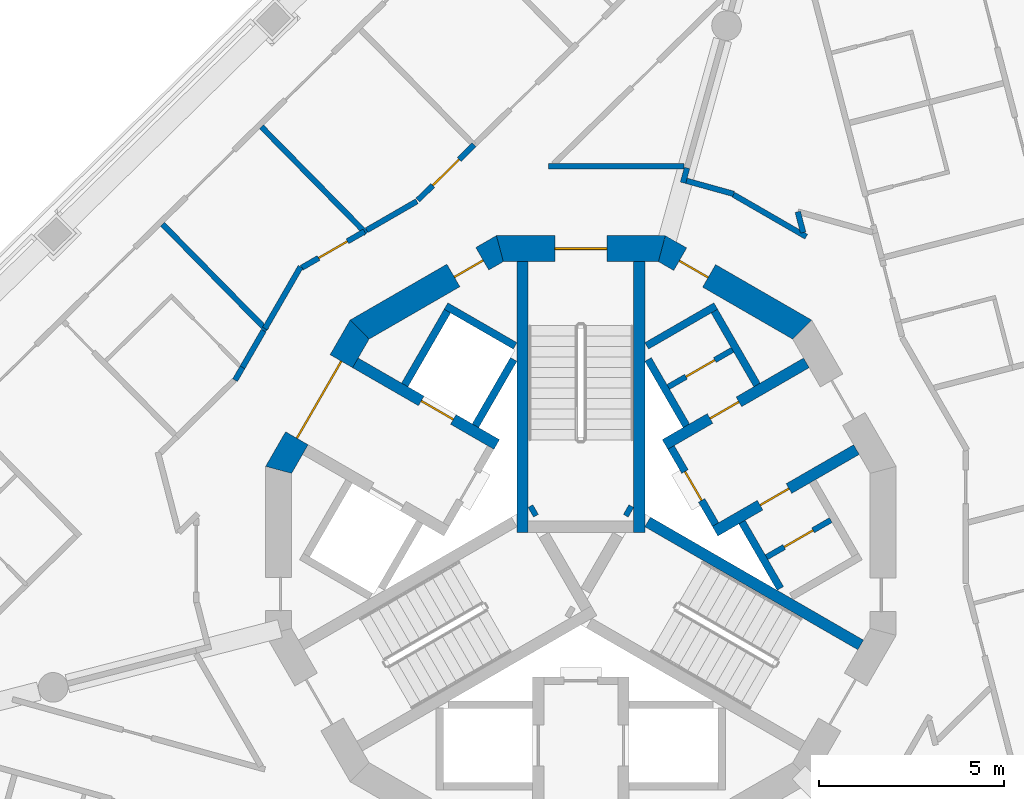
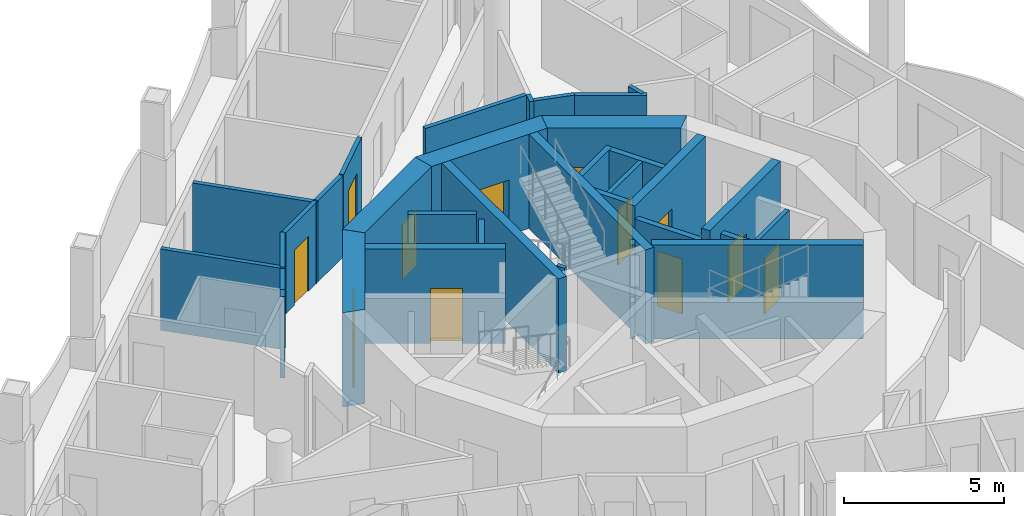
# One storey, part 5 of 15: 35 walls, 12 doors, 12 openings.
"""IFC4 building model written with IfcOpenShell, lengths in metres."""

from ifc_helpers import new_model, si_unit, direction, frame, frame_2d, origin, place, context, subcontext, project, spatial, polyline, rectangle, outline, extrude, material, layer, layer_set, type_object, element, fill, save


model = new_model("IFC4")

# Units and contexts
model_context = context("Model", 3, precision=1e-05, world=origin(), true_north=direction((0.0, 1.0)))
body_context = subcontext(model_context, "Body", "Model", "MODEL_VIEW")
ifc_project = project(units=[si_unit("LENGTHUNIT", "METRE"), si_unit("AREAUNIT", "SQUARE_METRE"), si_unit("VOLUMEUNIT", "CUBIC_METRE"), si_unit("PLANEANGLEUNIT", "RADIAN"), si_unit("MASSUNIT", "GRAM", prefix="KILO")], contexts=[model_context])

# Site, building, storey
site_placement = place(None, origin())
site = spatial("IfcSite", under=ifc_project, at=site_placement, CompositionType="ELEMENT")
building_placement = place(site_placement, origin())
building = spatial("IfcBuilding", under=site, at=building_placement, Name="Trine Commons Tower", CompositionType="ELEMENT")
storey_placement = place(building_placement, frame((0.0, 0.0, 263.699951171875)))
storey = spatial("IfcBuildingStorey", under=building, at=storey_placement, Name="L69", CompositionType="ELEMENT", Elevation=263.699951171875)

# Wall, opening, door
ifc_material_1 = material(Name="Plasterboard partition on steel studs", Category="steel")
ifc_layer_1 = layer(ifc_material_1, 0.14990234375)
ifc_layer_set_1 = layer_set([ifc_layer_1], Name="Plasterboard partition on steel studs")
wall_type_1 = type_object("IfcWallType", Name="Core room partition 150 mm, EI 60", PredefinedType="PARTITIONING", material=ifc_layer_set_1)
wall_1_placement = place(storey_placement, frame((82.35498046875, 66.919921875, 0.0), z_axis=(0.0, 0.0, 1.0), x_axis=(0.866010750942, 0.50002537861, 0.0)))
wall_1 = element("IfcWall", 1, at=wall_1_placement, inside=storey, type_object=wall_type_1, Name="Core room partition L69", PredefinedType="PARTITIONING", context=body_context, shape_type="SweptSolid", body=[
    extrude(rectangle(XDim=2.0, YDim=0.14990234375, at=frame_2d((1.0, 0.0))), origin(), (0.0, 0.0, 1.0), 3.10009765625),
])
opening_1_placement = place(wall_1_placement, frame((0.550537109375, 0.0, 0.0)))
opening_1 = element("IfcOpeningElement", 2, at=opening_1_placement, cuts=wall_1, Name="Opening K15.11", PredefinedType="OPENING", context=body_context, shape_type="SweptSolid", body=[
    extrude(rectangle(XDim=0.89990234375, YDim=2.10009765625, at=frame_2d((0.449951171875, 1.050048828125))), frame((0.0, 0.0849609375, 0.0), z_axis=(0.0, -1.0, 0.0), x_axis=(1.0, 0.0, 0.0)), (0.0, 0.0, 1.0), 0.169921875),
])
ifc_material_2 = material(Name="Steel door leaf, fire-rated", Category="steel")
door_type_1 = type_object("IfcDoorType", Name="Core room door, single leaf 900 x 2100, FD30S", OperationType="SINGLE_SWING_LEFT", PredefinedType="DOOR", material=ifc_material_2)
door_1_placement = place(opening_1_placement, origin())
door_1 = element("IfcDoor", 3, at=door_1_placement, inside=storey, type_object=door_type_1, Name="Door to Pantry L69", OperationType="SINGLE_SWING_RIGHT", OverallHeight=2.10009765625, OverallWidth=0.89990234375, PredefinedType="DOOR", context=body_context, shape_type="SweptSolid", body=[
    extrude(rectangle(XDim=0.89990234375, YDim=2.10009765625, at=frame_2d((0.449951171875, 1.050048828125))), frame((0.0, 0.02490234375, 0.0), z_axis=(0.0, -1.0, 0.0), x_axis=(1.0, 0.0, 0.0)), (0.0, 0.0, 1.0), 0.050048828125),
])
fill(opening_1, door_1)

wall_2_placement = place(storey_placement, frame((85.006103515625, 62.330078125, 0.0), z_axis=(0.0, 0.0, 1.0), x_axis=(0.866010750942, 0.50002537861, 0.0)))
wall_2 = element("IfcWall", 4, at=wall_2_placement, inside=storey, type_object=wall_type_1, Name="Core room partition L69", PredefinedType="PARTITIONING", context=body_context, shape_type="SweptSolid", body=[
    extrude(rectangle(XDim=2.0, YDim=0.14990234375, at=frame_2d((1.0, 0.0))), origin(), (0.0, 0.0, 1.0), 3.10009765625),
])
opening_2_placement = place(wall_2_placement, frame((0.549560546875, 0.0, 0.0)))
opening_2 = element("IfcOpeningElement", 5, at=opening_2_placement, cuts=wall_2, Name="Opening K15.13", PredefinedType="OPENING", context=body_context, shape_type="SweptSolid", body=[
    extrude(rectangle(XDim=0.89990234375, YDim=2.10009765625, at=frame_2d((0.449951171875, 1.050048828125))), frame((0.0, 0.0849609375, 0.0), z_axis=(0.0, -1.0, 0.0), x_axis=(1.0, 0.0, 0.0)), (0.0, 0.0, 1.0), 0.169921875),
])
door_2_placement = place(opening_2_placement, frame((0.89990234375, 0.0, 0.0), z_axis=(0.0, 0.0, 1.0), x_axis=(-1.0, 0.0, 0.0)))
door_2 = element("IfcDoor", 6, at=door_2_placement, inside=storey, type_object=door_type_1, Name="Door to Parcel store L69", OperationType="SINGLE_SWING_LEFT", OverallHeight=2.10009765625, OverallWidth=0.89990234375, PredefinedType="DOOR", context=body_context, shape_type="SweptSolid", body=[
    extrude(rectangle(XDim=0.89990234375, YDim=2.10009765625, at=frame_2d((0.449951171875, 1.050048828125))), frame((0.0, 0.02490234375, 0.0), z_axis=(0.0, -1.0, 0.0), x_axis=(1.0, 0.0, 0.0)), (0.0, 0.0, 1.0), 0.050048828125),
])
fill(opening_2, door_2)

ifc_material_3 = material(Name="Fire-rated gypsum shaft wall system")
ifc_layer_2 = layer(ifc_material_3, 0.199951171875)
ifc_layer_set_2 = layer_set([ifc_layer_2], Name="Fire-rated gypsum shaft wall system")
wall_type_2 = type_object("IfcWallType", Name="Lobby end wall 200 mm, EI 120", PredefinedType="PARTITIONING", material=ifc_layer_set_2)
wall_3_placement = place(storey_placement, frame((83.631103515625, 63.2109375, 0.0), z_axis=(0.0, 0.0, 1.0), x_axis=(-0.50012165622, 0.865955154139, 0.0)))
wall_3 = element("IfcWall", 7, at=wall_3_placement, inside=storey, type_object=wall_type_2, Name="Lobby end wall L69", PredefinedType="PARTITIONING", context=body_context, shape_type="SweptSolid", body=[
    extrude(rectangle(XDim=2.39990234375, YDim=0.199951171875, at=frame_2d((1.199951171875, 0.0))), origin(), (0.0, 0.0, 1.0), 3.10009765625),
])
opening_3_placement = place(wall_3_placement, frame((0.749755859375, 0.0, 0.0)))
opening_3 = element("IfcOpeningElement", 8, at=opening_3_placement, cuts=wall_3, Name="Opening K15.05", PredefinedType="OPENING", context=body_context, shape_type="SweptSolid", body=[
    extrude(rectangle(XDim=0.89990234375, YDim=2.10009765625, at=frame_2d((0.449951171875, 1.050048828125))), frame((0.0, 0.10986328125, 0.0), z_axis=(0.0, -1.0, 0.0), x_axis=(1.0, 0.0, 0.0)), (0.0, 0.0, 1.0), 0.219970703125),
])
door_type_2 = type_object("IfcDoorType", Name="Riser access door, single leaf 900 x 2100, FD60", OperationType="SINGLE_SWING_LEFT", PredefinedType="DOOR", material=ifc_material_2)
door_3_placement = place(opening_3_placement, frame((0.89990234375, 0.0, 0.0), z_axis=(0.0, 0.0, 1.0), x_axis=(-1.0, 0.0, 0.0)))
door_3 = element("IfcDoor", 9, at=door_3_placement, inside=storey, type_object=door_type_2, Name="Riser door, Electrical riser L69", OperationType="SINGLE_SWING_LEFT", OverallHeight=2.10009765625, OverallWidth=0.89990234375, PredefinedType="DOOR", context=body_context, shape_type="SweptSolid", body=[
    extrude(rectangle(XDim=0.89990234375, YDim=2.10009765625, at=frame_2d((0.449951171875, 1.050048828125))), frame((0.0, 0.02490234375, 0.0), z_axis=(0.0, -1.0, 0.0), x_axis=(1.0, 0.0, 0.0)), (0.0, 0.0, 1.0), 0.050048828125),
])
fill(opening_3, door_3)

ifc_material_4 = material(Name="Concrete C50/60", Category="concrete")
ifc_layer_3 = layer(ifc_material_4, 0.300048828125)
ifc_layer_set_3 = layer_set([ifc_layer_3], Name="Concrete C50/60")
wall_type_3 = type_object("IfcWallType", Name="RC shear wall 300 mm, C50/60", PredefinedType="SHEAR", material=ifc_layer_set_3)
wall_4_placement = place(storey_placement, frame((77.73095703125, 65.368896484375, 0.0), z_axis=(0.0, 0.0, 1.0), x_axis=(-0.866035918664, 0.499981787252, 0.0)))
wall_4 = element("IfcWall", 10, at=wall_4_placement, inside=storey, type_object=wall_type_3, Name="Core cross wall SWC-02 L69", PredefinedType="SHEAR", context=body_context, shape_type="SweptSolid", body=[
    extrude(rectangle(XDim=4.400634765625, YDim=0.300048828125, at=frame_2d((2.2001953125, 0.0))), origin(), (0.0, 0.0, 1.0), 3.60009765625),
])
opening_4_placement = place(wall_4_placement, frame((1.3505859375, 0.0, 0.0)))
opening_4 = element("IfcOpeningElement", 11, at=opening_4_placement, cuts=wall_4, Name="Opening LD8", PredefinedType="OPENING", context=body_context, shape_type="SweptSolid", body=[
    extrude(rectangle(XDim=1.0, YDim=2.10009765625, at=frame_2d((0.5, 1.050048828125))), frame((0.0, 0.159912109375, 0.0), z_axis=(0.0, -1.0, 0.0), x_axis=(1.0, 0.0, 0.0)), (0.0, 0.0, 1.0), 0.320068359375),
])
ifc_material_5 = material(Name="Stainless steel sliding door leaves", Category="steel")
door_type_3 = type_object("IfcDoorType", Name="Lift landing door, centre-opening sliding 1000 x 2100, FD90", OperationType="DOUBLE_DOOR_SLIDING", PredefinedType="DOOR", material=ifc_material_5)
door_4_placement = place(opening_4_placement, origin())
door_4 = element("IfcDoor", 12, at=door_4_placement, inside=storey, type_object=door_type_3, Name="Lift landing door HR4 L69", OperationType="DOUBLE_DOOR_SLIDING", OverallHeight=2.10009765625, OverallWidth=1.0, PredefinedType="DOOR", context=body_context, shape_type="SweptSolid", body=[
    extrude(rectangle(XDim=1.0, YDim=2.10009765625, at=frame_2d((0.5, 1.050048828125))), frame((0.0, 0.02490234375, 0.0), z_axis=(0.0, -1.0, 0.0), x_axis=(1.0, 0.0, 0.0)), (0.0, 0.0, 1.0), 0.050048828125),
])
fill(opening_4, door_4)

wall_5_placement = place(storey_placement, frame((82.26904296875, 65.368896484375, 0.0), z_axis=(0.0, 0.0, 1.0), x_axis=(0.866035918664, 0.499981787252, 0.0)))
wall_5 = element("IfcWall", 13, at=wall_5_placement, inside=storey, type_object=wall_type_3, Name="Core cross wall SWC-05 L69", PredefinedType="SHEAR", context=body_context, shape_type="SweptSolid", body=[
    extrude(rectangle(XDim=4.400634765625, YDim=0.300048828125, at=frame_2d((2.2001953125, 0.0))), origin(), (0.0, 0.0, 1.0), 3.60009765625),
])
opening_5_placement = place(wall_5_placement, frame((1.400390625, 0.0, 0.0)))
opening_5 = element("IfcOpeningElement", 14, at=opening_5_placement, cuts=wall_5, Name="Opening K15.10", PredefinedType="OPENING", context=body_context, shape_type="SweptSolid", body=[
    extrude(rectangle(XDim=0.89990234375, YDim=2.10009765625, at=frame_2d((0.449951171875, 1.050048828125))), frame((0.0, 0.159912109375, 0.0), z_axis=(0.0, -1.0, 0.0), x_axis=(1.0, 0.0, 0.0)), (0.0, 0.0, 1.0), 0.320068359375),
])
door_5_placement = place(opening_5_placement, origin())
door_5 = element("IfcDoor", 15, at=door_5_placement, inside=storey, type_object=door_type_1, Name="Door to Linen store L69", OperationType="SINGLE_SWING_LEFT", OverallHeight=2.10009765625, OverallWidth=0.89990234375, PredefinedType="DOOR", context=body_context, shape_type="SweptSolid", body=[
    extrude(rectangle(XDim=0.89990234375, YDim=2.10009765625, at=frame_2d((0.449951171875, 1.050048828125))), frame((0.0, 0.02490234375, 0.0), z_axis=(0.0, -1.0, 0.0), x_axis=(1.0, 0.0, 0.0)), (0.0, 0.0, 1.0), 0.050048828125),
])
fill(opening_5, door_5)

wall_6_placement = place(storey_placement, frame((83.618896484375, 63.031005859375, 0.0), z_axis=(0.0, 0.0, 1.0), x_axis=(0.866059941101, 0.499940174841, 0.0)))
wall_6 = element("IfcWall", 16, at=wall_6_placement, inside=storey, type_object=wall_type_3, Name="Core cross wall SWC-06 L69", PredefinedType="SHEAR", context=body_context, shape_type="SweptSolid", body=[
    extrude(rectangle(XDim=4.400390625, YDim=0.300048828125, at=frame_2d((2.2001953125, 0.0))), origin(), (0.0, 0.0, 1.0), 3.60009765625),
])
opening_6_placement = place(wall_6_placement, frame((1.400390625, 0.0, 0.0)))
opening_6 = element("IfcOpeningElement", 17, at=opening_6_placement, cuts=wall_6, Name="Opening K15.12", PredefinedType="OPENING", context=body_context, shape_type="SweptSolid", body=[
    extrude(rectangle(XDim=0.89990234375, YDim=2.10009765625, at=frame_2d((0.449951171875, 1.050048828125))), frame((0.0, 0.159912109375, 0.0), z_axis=(0.0, -1.0, 0.0), x_axis=(1.0, 0.0, 0.0)), (0.0, 0.0, 1.0), 0.320068359375),
])
door_6_placement = place(opening_6_placement, frame((0.89990234375, 0.0, 0.0), z_axis=(0.0, 0.0, 1.0), x_axis=(-1.0, 0.0, 0.0)))
door_6 = element("IfcDoor", 18, at=door_6_placement, inside=storey, type_object=door_type_1, Name="Door to Comms room L69", OperationType="SINGLE_SWING_LEFT", OverallHeight=2.10009765625, OverallWidth=0.89990234375, PredefinedType="DOOR", context=body_context, shape_type="SweptSolid", body=[
    extrude(rectangle(XDim=0.89990234375, YDim=2.10009765625, at=frame_2d((0.449951171875, 1.050048828125))), frame((0.0, 0.02490234375, 0.0), z_axis=(0.0, -1.0, 0.0), x_axis=(1.0, 0.0, 0.0)), (0.0, 0.0, 1.0), 0.050048828125),
])
fill(opening_6, door_6)

# Walls
wall_7_placement = place(storey_placement, frame((78.425048828125, 63.0009765625, 0.0), z_axis=(0.0, 0.0, 1.0), x_axis=(0.0, 1.0, 0.0)))
element("IfcWall", 19, at=wall_7_placement, inside=storey, type_object=wall_type_3, Name="Core cross wall SWC-08 L69", PredefinedType="SHEAR", context=body_context, shape_type="SweptSolid", body=[
    extrude(rectangle(XDim=7.299072265625, YDim=0.300048828125, at=frame_2d((3.6494140625, 0.0))), origin(), (0.0, 0.0, 1.0), 3.60009765625),
])
for number, where, z_axis, x_axis, name in (
    (20, (78.779052734375, 63.614013671875, 0.0), (0.0, 0.0, 1.0), (-0.867737973955, -0.497021939713, 0.0), "Core cross wall SWC-09 L69"),
    (21, (81.220947265625, 63.614013671875, 0.0), (0.0, 0.0, 1.0), (0.867737973955, -0.497021939713, 0.0), "Core cross wall SWC-15 L69"),
):
    element("IfcWall", number, at=place(storey_placement, frame(where, z_axis=z_axis, x_axis=x_axis)), inside=storey, type_object=wall_type_3, Name=name, PredefinedType="SHEAR", context=body_context, shape_type="SweptSolid", body=[
        extrude(rectangle(XDim=0.14892578125, YDim=0.300048828125, at=frame_2d((0.074462890625, 0.0))), origin(), (0.0, 0.0, 1.0), 3.60009765625),
    ])
wall_8_placement = place(storey_placement, frame((81.574951171875, 63.0009765625, 0.0), z_axis=(0.0, 0.0, 1.0), x_axis=(0.0, 1.0, 0.0)))
element("IfcWall", 22, at=wall_8_placement, inside=storey, type_object=wall_type_3, Name="Core cross wall SWC-17 L69", PredefinedType="SHEAR", context=body_context, shape_type="SweptSolid", body=[
    extrude(rectangle(XDim=7.299072265625, YDim=0.300048828125, at=frame_2d((3.6494140625, 0.0))), origin(), (0.0, 0.0, 1.0), 3.60009765625),
])
wall_9_placement = place(storey_placement, frame((81.800048828125, 63.280029296875, 0.0), z_axis=(0.0, 0.0, 1.0), x_axis=(0.866009627307, -0.500027324665, 0.0)))
element("IfcWall", 23, at=wall_9_placement, inside=storey, type_object=wall_type_3, Name="Core cross wall SWC-18 L69", PredefinedType="SHEAR", context=body_context, shape_type="SweptSolid", body=[
    extrude(rectangle(XDim=6.631591796875, YDim=0.300048828125, at=frame_2d((3.31591796875, 0.0))), origin(), (0.0, 0.0, 1.0), 3.60009765625),
])

# Wall, opening, door
ifc_layer_4 = layer(ifc_material_4, 0.699951171875)
ifc_layer_set_4 = layer_set([ifc_layer_4], Name="Concrete C50/60")
wall_type_4 = type_object("IfcWallType", Name="RC shear wall 700 mm, C50/60", PredefinedType="SHEAR", material=ifc_layer_set_4)
wall_10_placement = place(storey_placement, frame((86.047607421875, 68.41943359375, 0.0), z_axis=(0.0, 0.0, 1.0), x_axis=(-0.866034756103, 0.499983800959, 0.0)))
wall_10 = element("IfcWall", 24, at=wall_10_placement, inside=storey, type_object=wall_type_4, Name="Core wall CWG-03 L69", PredefinedType="SHEAR", context=body_context, shape_type="SweptSolid", body=[
    extrude(outline(polyline([(0.0, -0.35009765625), (4.55517578125, -0.35009765625), (4.36767578125, 0.35009765625), (0.1875, 0.35009765625), (0.0, -0.35009765625)])), origin(), (0.0, 0.0, 1.0), 3.60009765625),
])
opening_7_placement = place(wall_10_placement, frame((2.990966796875, 0.0, 0.0)))
opening_7 = element("IfcOpeningElement", 25, at=opening_7_placement, cuts=wall_10, Name="Opening K15.14", PredefinedType="OPENING", context=body_context, shape_type="SweptSolid", body=[
    extrude(rectangle(XDim=0.89990234375, YDim=2.10009765625, at=frame_2d((0.449951171875, 1.050048828125))), frame((0.0, 0.35986328125, 0.0), z_axis=(0.0, -1.0, 0.0), x_axis=(1.0, 0.0, 0.0)), (0.0, 0.0, 1.0), 0.719970703125),
])
door_7_placement = place(opening_7_placement, origin())
door_7 = element("IfcDoor", 26, at=door_7_placement, inside=storey, type_object=door_type_1, Name="Door to Core WC L69", OperationType="SINGLE_SWING_RIGHT", OverallHeight=2.10009765625, OverallWidth=0.89990234375, PredefinedType="DOOR", context=body_context, shape_type="SweptSolid", body=[
    extrude(rectangle(XDim=0.89990234375, YDim=2.10009765625, at=frame_2d((0.449951171875, 1.050048828125))), frame((0.0, 0.0751953125, 0.0), z_axis=(0.0, -1.0, 0.0), x_axis=(1.0, 0.0, 0.0)), (0.0, 0.0, 1.0), 0.050048828125),
])
fill(opening_7, door_7)

wall_11_placement = place(storey_placement, frame((82.277587890625, 70.650146484375, 0.0), z_axis=(0.0, 0.0, 1.0), x_axis=(-1.0, 0.0, 0.0)))
wall_11 = element("IfcWall", 27, at=wall_11_placement, inside=storey, type_object=wall_type_4, Name="Core wall CWG-04 L69", PredefinedType="SHEAR", context=body_context, shape_type="SweptSolid", body=[
    extrude(outline(polyline([(0.0, -0.35009765625), (4.55517578125, -0.35009765625), (4.36767578125, 0.35009765625), (0.1875, 0.35009765625), (0.0, -0.35009765625)])), origin(), (0.0, 0.0, 1.0), 3.60009765625),
])
opening_8_placement = place(wall_11_placement, frame((1.57763671875, 0.0, 0.0)))
opening_8 = element("IfcOpeningElement", 28, at=opening_8_placement, cuts=wall_11, Name="Opening K15.01", PredefinedType="OPENING", context=body_context, shape_type="SweptSolid", body=[
    extrude(rectangle(XDim=1.39990234375, YDim=2.10009765625, at=frame_2d((0.699951171875, 1.050048828125))), frame((0.0, 0.35986328125, 0.0), z_axis=(0.0, -1.0, 0.0), x_axis=(1.0, 0.0, 0.0)), (0.0, 0.0, 1.0), 0.719970703125),
])
ifc_material_6 = material(Name="Steel door leaves, fire-rated", Category="steel")
door_type_4 = type_object("IfcDoorType", Name="Stair door, double leaf 1400 x 2100, FD90", OperationType="DOUBLE_DOOR_SINGLE_SWING", PredefinedType="DOOR", material=ifc_material_6)
door_8_placement = place(opening_8_placement, origin())
door_8 = element("IfcDoor", 29, at=door_8_placement, inside=storey, type_object=door_type_4, Name="Stair door to Exit stair ST1C L69", OperationType="DOUBLE_DOOR_SINGLE_SWING", OverallHeight=2.10009765625, OverallWidth=1.39990234375, PredefinedType="DOOR", context=body_context, shape_type="SweptSolid", body=[
    extrude(rectangle(XDim=1.39990234375, YDim=2.10009765625, at=frame_2d((0.699951171875, 1.050048828125))), frame((0.0, 0.02490234375, 0.0), z_axis=(0.0, -1.0, 0.0), x_axis=(1.0, 0.0, 0.0)), (0.0, 0.0, 1.0), 0.050048828125),
])
fill(opening_8, door_8)

wall_12_placement = place(storey_placement, frame((77.8974609375, 70.697021484375, 0.0), z_axis=(0.0, 0.0, 1.0), x_axis=(-0.866034756103, -0.499983800959, 0.0)))
wall_12 = element("IfcWall", 30, at=wall_12_placement, inside=storey, type_object=wall_type_4, Name="Core wall CWG-05 L69", PredefinedType="SHEAR", context=body_context, shape_type="SweptSolid", body=[
    extrude(outline(polyline([(0.0, -0.35009765625), (4.55517578125, -0.35009765625), (4.36767578125, 0.35009765625), (0.1875, 0.35009765625), (0.0, -0.35009765625)])), origin(), (0.0, 0.0, 1.0), 3.60009765625),
])
opening_9_placement = place(wall_12_placement, frame((0.641845703125, 0.0, 0.0)))
opening_9 = element("IfcOpeningElement", 31, at=opening_9_placement, cuts=wall_12, Name="Opening K15.15", PredefinedType="OPENING", context=body_context, shape_type="SweptSolid", body=[
    extrude(rectangle(XDim=0.89990234375, YDim=2.10009765625, at=frame_2d((0.449951171875, 1.050048828125))), frame((0.0, 0.35986328125, 0.0), z_axis=(0.0, -1.0, 0.0), x_axis=(1.0, 0.0, 0.0)), (0.0, 0.0, 1.0), 0.719970703125),
])
door_9_placement = place(opening_9_placement, origin())
door_9 = element("IfcDoor", 32, at=door_9_placement, inside=storey, type_object=door_type_1, Name="Door to Accessible WC L69", OperationType="SINGLE_SWING_LEFT", OverallHeight=2.10009765625, OverallWidth=0.89990234375, PredefinedType="DOOR", context=body_context, shape_type="SweptSolid", body=[
    extrude(rectangle(XDim=0.89990234375, YDim=2.10009765625, at=frame_2d((0.449951171875, 1.050048828125))), frame((0.0, 0.0751953125, 0.0), z_axis=(0.0, -1.0, 0.0), x_axis=(1.0, 0.0, 0.0)), (0.0, 0.0, 1.0), 0.050048828125),
])
fill(opening_9, door_9)

wall_13_placement = place(storey_placement, frame((74.08056640625, 68.547607421875, 0.0), z_axis=(0.0, 0.0, 1.0), x_axis=(-0.499983800959, -0.866034756103, 0.0)))
wall_13 = element("IfcWall", 33, at=wall_13_placement, inside=storey, type_object=wall_type_4, Name="Core wall CWG-06 L69", PredefinedType="SHEAR", context=body_context, shape_type="SweptSolid", body=[
    extrude(outline(polyline([(0.0, -0.35009765625), (4.55517578125, -0.35009765625), (4.36767578125, 0.35009765625), (0.1875, 0.35009765625), (0.0, -0.35009765625)])), origin(), (0.0, 0.0, 1.0), 3.60009765625),
])
opening_10_placement = place(wall_13_placement, frame((1.077392578125, 0.0, 0.0)))
opening_10 = element("IfcOpeningElement", 34, at=opening_10_placement, cuts=wall_13, Name="Opening K15.06", PredefinedType="OPENING", context=body_context, shape_type="SweptSolid", body=[
    extrude(rectangle(XDim=2.39990234375, YDim=2.10009765625, at=frame_2d((1.199951171875, 1.050048828125))), frame((0.0, 0.35986328125, 0.0), z_axis=(0.0, -1.0, 0.0), x_axis=(1.0, 0.0, 0.0)), (0.0, 0.0, 1.0), 0.719970703125),
])
door_type_5 = type_object("IfcDoorType", Name="Lobby door, double leaf 2400 x 2100, FD60", OperationType="DOUBLE_DOOR_SINGLE_SWING", PredefinedType="DOOR", material=ifc_material_6)
door_10_placement = place(opening_10_placement, origin())
door_10 = element("IfcDoor", 35, at=door_10_placement, inside=storey, type_object=door_type_5, Name="Lobby door, Passenger lift lobby B L69", OperationType="DOUBLE_DOOR_SINGLE_SWING", OverallHeight=2.10009765625, OverallWidth=2.39990234375, PredefinedType="DOOR", context=body_context, shape_type="SweptSolid", body=[
    extrude(rectangle(XDim=2.39990234375, YDim=2.10009765625, at=frame_2d((1.199951171875, 1.050048828125))), frame((0.0, 0.02490234375, 0.0), z_axis=(0.0, -1.0, 0.0), x_axis=(1.0, 0.0, 0.0)), (0.0, 0.0, 1.0), 0.050048828125),
])
fill(opening_10, door_10)

# Walls
ifc_layer_5 = layer(ifc_material_3, 0.199951171875)
ifc_layer_set_5 = layer_set([ifc_layer_5], Name="Fire-rated gypsum shaft wall system")
wall_type_5 = type_object("IfcWallType", Name="Shaft wall 200 mm, EI 120", PredefinedType="PARTITIONING", material=ifc_layer_set_5)
wall_14_placement = place(storey_placement, frame((75.2509765625, 66.97412109375, 0.0), z_axis=(0.0, 0.0, 1.0), x_axis=(0.500136062276, 0.86594683394, 0.0)))
element("IfcWall", 36, at=wall_14_placement, inside=storey, type_object=wall_type_5, Name="Shaft wall L69", PredefinedType="PARTITIONING", context=body_context, shape_type="SweptSolid", body=[
    extrude(rectangle(XDim=2.299072265625, YDim=0.199951171875, at=frame_2d((1.1494140625, 0.0))), origin(), (0.0, 0.0, 1.0), 3.10009765625),
])
wall_15_placement = place(storey_placement, frame((77.156005859375, 65.8740234375, 0.0), z_axis=(0.0, 0.0, 1.0), x_axis=(0.499865770674, 0.866102887253, 0.0)))
element("IfcWall", 37, at=wall_15_placement, inside=storey, type_object=wall_type_5, Name="Shaft wall L69", PredefinedType="PARTITIONING", context=body_context, shape_type="SweptSolid", body=[
    extrude(rectangle(XDim=2.064453125, YDim=0.199951171875, at=frame_2d((1.0322265625, 0.0))), origin(), (0.0, 0.0, 1.0), 3.10009765625),
])
for number, where, z_axis, x_axis, name in (
    (38, (78.22509765625, 68.028076171875, 0.0), (0.0, 0.0, 1.0), (-0.866130725101, 0.499817533742, 0.0), "Shaft wall L69"),
    (39, (81.77490234375, 68.028076171875, 0.0), (0.0, 0.0, 1.0), (0.866130725101, 0.499817533742, 0.0), "Shaft wall L69"),
):
    element("IfcWall", number, at=place(storey_placement, frame(where, z_axis=z_axis, x_axis=x_axis)), inside=storey, type_object=wall_type_5, Name=name, PredefinedType="PARTITIONING", context=body_context, shape_type="SweptSolid", body=[
        extrude(rectangle(XDim=2.148681640625, YDim=0.199951171875, at=frame_2d((1.07421875, 0.0))), origin(), (0.0, 0.0, 1.0), 3.10009765625),
    ])
wall_16_placement = place(storey_placement, frame((82.843994140625, 65.8740234375, 0.0), z_axis=(0.0, 0.0, 1.0), x_axis=(-0.499865770674, 0.866102887253, 0.0)))
element("IfcWall", 40, at=wall_16_placement, inside=storey, type_object=wall_type_5, Name="Shaft wall L69", PredefinedType="PARTITIONING", context=body_context, shape_type="SweptSolid", body=[
    extrude(rectangle(XDim=2.064453125, YDim=0.199951171875, at=frame_2d((1.0322265625, 0.0))), origin(), (0.0, 0.0, 1.0), 3.10009765625),
])
wall_17_placement = place(storey_placement, frame((84.343994140625, 63.27587890625, 0.0), z_axis=(0.0, 0.0, 1.0), x_axis=(0.500271688072, -0.86586848777, 0.0)))
element("IfcWall", 41, at=wall_17_placement, inside=storey, type_object=wall_type_5, Name="Shaft wall L69", PredefinedType="PARTITIONING", context=body_context, shape_type="SweptSolid", body=[
    extrude(rectangle(XDim=2.064697265625, YDim=0.199951171875, at=frame_2d((1.0322265625, 0.0))), origin(), (0.0, 0.0, 1.0), 3.10009765625),
])
wall_18_placement = place(storey_placement, frame((84.7490234375, 66.97412109375, 0.0), z_axis=(0.0, 0.0, 1.0), x_axis=(-0.500136062276, 0.86594683394, 0.0)))
element("IfcWall", 42, at=wall_18_placement, inside=storey, type_object=wall_type_5, Name="Shaft wall L69", PredefinedType="PARTITIONING", context=body_context, shape_type="SweptSolid", body=[
    extrude(rectangle(XDim=2.299072265625, YDim=0.199951171875, at=frame_2d((1.1494140625, 0.0))), origin(), (0.0, 0.0, 1.0), 3.10009765625),
])
ifc_material_7 = material(Name="Gypsum plasterboard on steel stud", Category="steel")
ifc_layer_6 = layer(ifc_material_7, 0.14990234375)
ifc_layer_set_6 = layer_set([ifc_layer_6], Name="Gypsum plasterboard on steel stud")
wall_type_6 = type_object("IfcWallType", Name="Unit and corridor wall 150 mm, EI 60", PredefinedType="PARTITIONING", material=ifc_layer_set_6)
wall_19_placement = place(storey_placement, frame((68.720947265625, 71.3076171875, 0.0), z_axis=(0.0, 0.0, 1.0), x_axis=(0.700815785944, -0.713342298039, 0.0)))
element("IfcWall", 43, at=wall_19_placement, inside=storey, type_object=wall_type_6, Name="Partition 024", PredefinedType="PARTITIONING", context=body_context, shape_type="SweptSolid", body=[
    extrude(rectangle(XDim=4.014892578125, YDim=0.14990234375, at=frame_2d((2.00732421875, 0.0))), origin(), (0.0, 0.0, 1.0), 3.10009765625),
])
wall_20_placement = place(storey_placement, frame((70.67578125, 67.101806640625, 0.0), z_axis=(0.0, 0.0, 1.0), x_axis=(0.500795801589, 0.865565459749, 0.0)))
element("IfcWall", 44, at=wall_20_placement, inside=storey, type_object=wall_type_6, Name="Partition 035", PredefinedType="PARTITIONING", context=body_context, shape_type="SweptSolid", body=[
    extrude(rectangle(XDim=0.400146484375, YDim=0.14990234375, at=frame_2d((0.2001953125, 0.0))), origin(), (0.0, 0.0, 1.0), 3.10009765625),
])
wall_21_placement = place(storey_placement, frame((70.8359375, 67.378662109375, 0.0), z_axis=(0.0, 0.0, 1.0), x_axis=(0.500074377092, 0.865982457891, 0.0)))
element("IfcWall", 45, at=wall_21_placement, inside=storey, type_object=wall_type_6, Name="Partition 037", PredefinedType="PARTITIONING", context=body_context, shape_type="SweptSolid", body=[
    extrude(rectangle(XDim=1.220947265625, YDim=0.14990234375, at=frame_2d((0.6103515625, 0.0))), origin(), (0.0, 0.0, 1.0), 3.10009765625),
])
wall_22_placement = place(storey_placement, frame((71.389892578125, 73.931396484375, 0.0), z_axis=(0.0, 0.0, 1.0), x_axis=(0.700963396894, -0.713197249164, 0.0)))
element("IfcWall", 46, at=wall_22_placement, inside=storey, type_object=wall_type_6, Name="Partition 039", PredefinedType="PARTITIONING", context=body_context, shape_type="SweptSolid", body=[
    extrude(rectangle(XDim=4.03125, YDim=0.14990234375, at=frame_2d((2.015625, 0.0))), origin(), (0.0, 0.0, 1.0), 3.10009765625),
])
wall_23_placement = place(storey_placement, frame((71.47998046875, 68.493896484375, 0.0), z_axis=(0.0, 0.0, 1.0), x_axis=(0.500205717672, 0.865906600049, 0.0)))
element("IfcWall", 47, at=wall_23_placement, inside=storey, type_object=wall_type_6, Name="Partition 040", PredefinedType="PARTITIONING", context=body_context, shape_type="SweptSolid", body=[
    extrude(rectangle(XDim=1.924072265625, YDim=0.14990234375, at=frame_2d((0.9619140625, 0.0))), origin(), (0.0, 0.0, 1.0), 3.10009765625),
])

# Wall, opening, door
wall_24_placement = place(storey_placement, frame((72.469970703125, 70.132568359375, 0.0), z_axis=(0.0, 0.0, 1.0), x_axis=(0.865963449651, 0.500107292357, 0.0)))
wall_24 = element("IfcWall", 48, at=wall_24_placement, inside=storey, type_object=wall_type_6, Name="Partition 042", PredefinedType="PARTITIONING", context=body_context, shape_type="SweptSolid", body=[
    extrude(rectangle(XDim=1.95849609375, YDim=0.14990234375, at=frame_2d((0.979248046875, 0.0))), origin(), (0.0, 0.0, 1.0), 3.10009765625),
])
opening_11_placement = place(wall_24_placement, frame((0.527587890625, 0.0, 0.0)))
opening_11 = element("IfcOpeningElement", 49, at=opening_11_placement, cuts=wall_24, Name="Opening D-7C06", PredefinedType="OPENING", context=body_context, shape_type="SweptSolid", body=[
    extrude(rectangle(XDim=0.89990234375, YDim=2.10009765625, at=frame_2d((0.449951171875, 1.050048828125))), frame((0.0, 0.0849609375, 0.0), z_axis=(0.0, -1.0, 0.0), x_axis=(1.0, 0.0, 0.0)), (0.0, 0.0, 1.0), 0.169921875),
])
ifc_material_8 = material(Name="Timber fire door set", Category="wood")
door_type_6 = type_object("IfcDoorType", Name="Service door 900 x 2100, FD30S", OperationType="NOTDEFINED", PredefinedType="DOOR", material=ifc_material_8)
door_11_placement = place(opening_11_placement, origin())
door_11 = element("IfcDoor", 50, at=door_11_placement, inside=storey, type_object=door_type_6, Name="Door D-7C06", OperationType="SINGLE_SWING_LEFT", OverallHeight=2.10009765625, OverallWidth=0.89990234375, PredefinedType="DOOR", context=body_context, shape_type="SweptSolid", body=[
    extrude(rectangle(XDim=0.89990234375, YDim=2.10009765625, at=frame_2d((0.449951171875, 1.050048828125))), frame((0.0, 0.02490234375, 0.0), z_axis=(0.0, -1.0, 0.0), x_axis=(1.0, 0.0, 0.0)), (0.0, 0.0, 1.0), 0.050048828125),
])
fill(opening_11, door_11)

# Wall
wall_25_placement = place(storey_placement, frame((74.22412109375, 71.1455078125, 0.0), z_axis=(0.0, 0.0, 1.0), x_axis=(0.866052944554, 0.499952294954, 0.0)))
element("IfcWall", 51, at=wall_25_placement, inside=storey, type_object=wall_type_6, Name="Partition 046", PredefinedType="PARTITIONING", context=body_context, shape_type="SweptSolid", body=[
    extrude(rectangle(XDim=1.563232421875, YDim=0.14990234375, at=frame_2d((0.78173828125, 0.0))), origin(), (0.0, 0.0, 1.0), 3.10009765625),
])

# Wall, opening, door
wall_26_placement = place(storey_placement, frame((75.60498046875, 71.9599609375, 0.0), z_axis=(0.0, 0.0, 1.0), x_axis=(0.713406050761, 0.70075088779, 0.0)))
wall_26 = element("IfcWall", 52, at=wall_26_placement, inside=storey, type_object=wall_type_6, Name="Partition 048", PredefinedType="PARTITIONING", context=body_context, shape_type="SweptSolid", body=[
    extrude(rectangle(XDim=2.1220703125, YDim=0.14990234375, at=frame_2d((1.06103515625, 0.0))), origin(), (0.0, 0.0, 1.0), 3.10009765625),
])
opening_12_placement = place(wall_26_placement, frame((0.559326171875, 0.0, 0.0)))
opening_12 = element("IfcOpeningElement", 53, at=opening_12_placement, cuts=wall_26, Name="Opening D-7C07", PredefinedType="OPENING", context=body_context, shape_type="SweptSolid", body=[
    extrude(rectangle(XDim=1.0, YDim=2.10009765625, at=frame_2d((0.5, 1.050048828125))), frame((0.0, 0.0849609375, 0.0), z_axis=(0.0, -1.0, 0.0), x_axis=(1.0, 0.0, 0.0)), (0.0, 0.0, 1.0), 0.169921875),
])
ifc_material_9 = material(Name="Painted timber", Category="wood")
door_type_7 = type_object("IfcDoorType", Name="Amenity room door 1000 x 2100, NOT RATED", OperationType="NOTDEFINED", PredefinedType="DOOR", material=ifc_material_9)
door_12_placement = place(opening_12_placement, origin())
door_12 = element("IfcDoor", 54, at=door_12_placement, inside=storey, type_object=door_type_7, Name="Door D-7C07", OperationType="SINGLE_SWING_LEFT", OverallHeight=2.10009765625, OverallWidth=1.0, PredefinedType="DOOR", context=body_context, shape_type="SweptSolid", body=[
    extrude(rectangle(XDim=1.0, YDim=2.10009765625, at=frame_2d((0.5, 1.050048828125))), frame((0.0, 0.02490234375, 0.0), z_axis=(0.0, -1.0, 0.0), x_axis=(1.0, 0.0, 0.0)), (0.0, 0.0, 1.0), 0.050048828125),
])
fill(opening_12, door_12)

# Walls
wall_27_placement = place(storey_placement, frame((79.133056640625, 72.875, 0.0), z_axis=(0.0, 0.0, 1.0), x_axis=(1.0, 0.0, 0.0)))
element("IfcWall", 55, at=wall_27_placement, inside=storey, type_object=wall_type_6, Name="Partition 053", PredefinedType="PARTITIONING", context=body_context, shape_type="SweptSolid", body=[
    extrude(rectangle(XDim=3.64697265625, YDim=0.14990234375, at=frame_2d((1.823486328125, 0.0))), origin(), (0.0, 0.0, 1.0), 3.10009765625),
])
wall_28_placement = place(storey_placement, frame((82.7529296875, 72.42578125, 0.0), z_axis=(0.0, 0.0, 1.0), x_axis=(0.266887464326, 0.96372770085, 0.0)))
element("IfcWall", 56, at=wall_28_placement, inside=storey, type_object=wall_type_6, Name="Partition 065", PredefinedType="PARTITIONING", context=body_context, shape_type="SweptSolid", body=[
    extrude(rectangle(XDim=0.416259765625, YDim=0.14990234375, at=frame_2d((0.2080078125, 0.0))), origin(), (0.0, 0.0, 1.0), 3.10009765625),
])
wall_29_placement = place(storey_placement, frame((82.84521484375, 72.477783203125, 0.0), z_axis=(0.0, 0.0, 1.0), x_axis=(0.963623826389, -0.267262270467, 0.0)))
element("IfcWall", 57, at=wall_29_placement, inside=storey, type_object=wall_type_6, Name="Partition 066", PredefinedType="PARTITIONING", context=body_context, shape_type="SweptSolid", body=[
    extrude(rectangle(XDim=1.320068359375, YDim=0.14990234375, at=frame_2d((0.66015625, 0.0))), origin(), (0.0, 0.0, 1.0), 3.10009765625),
])
wall_30_placement = place(storey_placement, frame((84.10986328125, 72.107421875, 0.0), z_axis=(0.0, 0.0, 1.0), x_axis=(0.865965412825, -0.500103892997, 0.0)))
element("IfcWall", 58, at=wall_30_placement, inside=storey, type_object=wall_type_6, Name="Partition 071", PredefinedType="PARTITIONING", context=body_context, shape_type="SweptSolid", body=[
    extrude(rectangle(XDim=2.271484375, YDim=0.14990234375, at=frame_2d((1.1357421875, 0.0))), origin(), (0.0, 0.0, 1.0), 3.10009765625),
])
wall_31_placement = place(storey_placement, frame((85.847900390625, 71.64208984375, 0.0), z_axis=(0.0, 0.0, 1.0), x_axis=(0.250859734684, -0.968023446779, 0.0)))
element("IfcWall", 59, at=wall_31_placement, inside=storey, type_object=wall_type_6, Name="Partition 079", PredefinedType="PARTITIONING", context=body_context, shape_type="SweptSolid", body=[
    extrude(rectangle(XDim=0.5791015625, YDim=0.14990234375, at=frame_2d((0.28955078125, 0.0))), origin(), (0.0, 0.0, 1.0), 3.10009765625),
])

save(model, "model.ifc")
